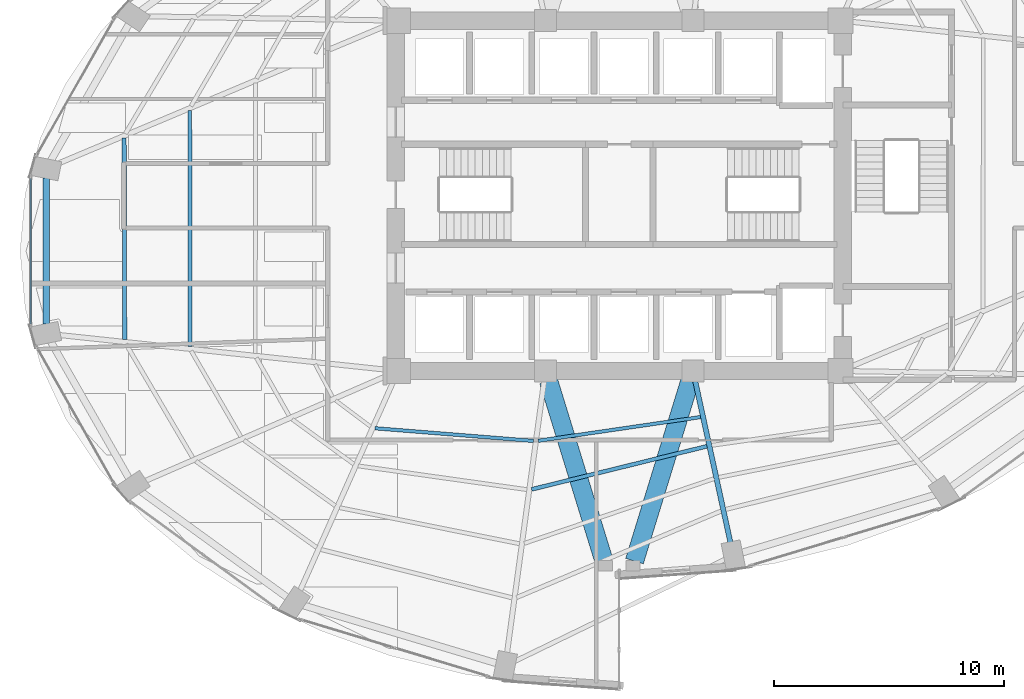
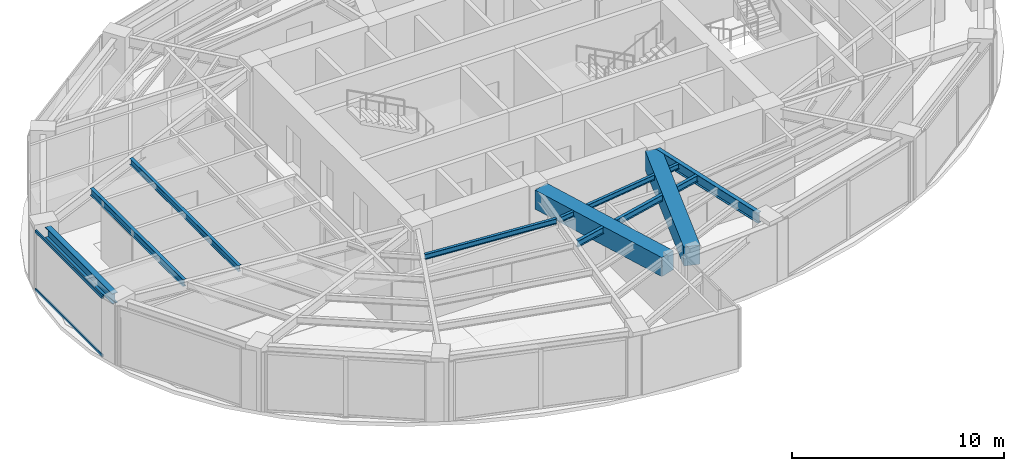
# One storey, part 7 of 24: 9 beams, 2 members, 1 element without a shape of its own.
"""IFC4 building model written with IfcOpenShell, lengths in metres."""

from ifc_helpers import new_model, si_unit, direction, frame, origin, origin_2d, place, context, subcontext, project, spatial, rectangle, hollow_rectangle, i_section, extrude, material, layer, layer_set, material_profile, profile_set, type_object, element, aggregate, save


model = new_model("IFC4")

# Units and contexts
model_context = context("Model", 3, precision=1e-05, world=origin(), true_north=direction((0.0, 1.0)))
body_context = subcontext(model_context, "Body", "Model", "MODEL_VIEW")
ifc_project = project(units=[si_unit("LENGTHUNIT", "METRE"), si_unit("AREAUNIT", "SQUARE_METRE"), si_unit("VOLUMEUNIT", "CUBIC_METRE"), si_unit("PLANEANGLEUNIT", "RADIAN"), si_unit("MASSUNIT", "GRAM", prefix="KILO")], contexts=[model_context])

# Site, building, storey
site_placement = place(None, origin())
site = spatial("IfcSite", under=ifc_project, at=site_placement, CompositionType="ELEMENT")
building_placement = place(site_placement, origin())
building = spatial("IfcBuilding", under=site, at=building_placement, Name="Lazwardi Medical Tower", CompositionType="ELEMENT")
storey_placement = place(building_placement, frame((0.0, 0.0, 99.98388671875)))
storey = spatial("IfcBuildingStorey", under=building, at=storey_placement, Name="L25", CompositionType="ELEMENT", Elevation=99.98388671875)

# Beams
ifc_material_1 = material(Name="Concrete C70/85", Category="concrete")
ifc_material_profile_1 = material_profile(ifc_material_1, rectangle(XDim=0.800048828125, YDim=1.10009765625, at=origin_2d()), Name="RC 800x1100")
ifc_profile_set_1 = profile_set([ifc_material_profile_1], Name="Concrete C70/85")
beam_type_1 = type_object("IfcBeamType", Name="BM-CB-RC1", PredefinedType="LINTEL", material=ifc_profile_set_1)
for number, where, z_axis, x_axis, name in (
    (1, (32.935302734375, 19.960205078125, 2.878173828125), (0.294073251002, -0.955782884888, 0.0), (0.955782884888, 0.294073251002, 0.0), "Core coupling lintel CB-01 PL3 L25"),
    (2, (39.064697265625, 19.960205078125, 2.878173828125), (-0.294073251002, -0.955782884888, 0.0), (0.955782884888, -0.294073251002, 0.0), "Core coupling lintel CB-01 PL4 L25"),
):
    element("IfcBeam", number, at=place(storey_placement, frame(where, z_axis=z_axis, x_axis=x_axis)), inside=storey, type_object=beam_type_1, Name=name, PredefinedType="LINTEL", context=body_context, shape_type="SweptSolid", body=[
        extrude(rectangle(XDim=0.800048828125, YDim=1.10009765625, at=origin_2d()), origin(), (0.0, 0.0, 1.0), 8.1708984375),
    ])
ifc_material_2 = material(Name="Steel S355", Category="steel")
ifc_material_profile_2 = material_profile(ifc_material_2, i_section(OverallWidth=0.300048828125, OverallDepth=0.60009765625, WebThickness=0.015380859375, FlangeThickness=0.030029296875, at=origin_2d()), Name="HEB 600")
ifc_profile_set_2 = profile_set([ifc_material_profile_2], Name="Steel S355")
beam_type_2 = type_object("IfcBeamType", Name="BM-RB-Z2", PredefinedType="BEAM", material=ifc_profile_set_2)
beam_1_placement = place(storey_placement, frame((11.13720703125, 28.77001953125, 3.128173828125), z_axis=(0.0, -1.0, 0.0), x_axis=(1.0, 0.0, 0.0)))
element("IfcBeam", 3, at=beam_1_placement, inside=storey, type_object=beam_type_2, Name="Ring beam RB-03 B12 L25", PredefinedType="BEAM", context=body_context, shape_type="SweptSolid", body=[
    extrude(i_section(OverallWidth=0.300048828125, OverallDepth=0.60009765625, WebThickness=0.015380859375, FlangeThickness=0.030029296875, at=origin_2d()), origin(), (0.0, 0.0, 1.0), 6.33984375),
])
ifc_material_profile_3 = material_profile(ifc_material_2, i_section(OverallWidth=0.219970703125, OverallDepth=0.60009765625, WebThickness=0.011962890625, FlangeThickness=0.01904296875, at=origin_2d()), Name="IPE 600")
ifc_profile_set_3 = profile_set([ifc_material_profile_3], Name="Steel S355")
beam_type_3 = type_object("IfcBeamType", Name="BM-RG-W1", PredefinedType="BEAM", material=ifc_profile_set_3)
beam_2_placement = place(storey_placement, frame((40.82177734375, 12.96923828125, 3.128173828125), z_axis=(-0.213228150441, 0.977002433907, 0.0), x_axis=(-0.977002433907, -0.213228150441, 0.0)))
element("IfcBeam", 4, at=beam_2_placement, inside=storey, type_object=beam_type_3, Name="Radial girder RG-02 R01 L25", PredefinedType="BEAM", context=body_context, shape_type="SweptSolid", body=[
    extrude(i_section(OverallWidth=0.219970703125, OverallDepth=0.60009765625, WebThickness=0.011962890625, FlangeThickness=0.01904296875, at=origin_2d()), origin(), (0.0, 0.0, 1.0), 7.145751953125),
])
ifc_material_profile_4 = material_profile(ifc_material_2, i_section(OverallWidth=0.179931640625, OverallDepth=0.39990234375, WebThickness=0.008544921875, FlangeThickness=0.013427734375, at=origin_2d()), Name="IPE 400")
ifc_profile_set_4 = profile_set([ifc_material_profile_4], Name="Steel S355")
beam_type_4 = type_object("IfcBeamType", Name="BM-SJ-01", PredefinedType="JOIST", material=ifc_profile_set_4)
beam_3_placement = place(storey_placement, frame((14.51904296875, 30.497314453125, 3.22802734375), z_axis=(0.002907126978, -0.999995774297, 0.0), x_axis=(0.999995774297, 0.002907126978, 0.0)))
element("IfcBeam", 5, at=beam_3_placement, inside=storey, type_object=beam_type_4, Name="Secondary joist SJ-01 R1 B12 L25", PredefinedType="JOIST", context=body_context, shape_type="SweptSolid", body=[
    extrude(i_section(OverallWidth=0.179931640625, OverallDepth=0.39990234375, WebThickness=0.008544921875, FlangeThickness=0.013427734375, at=origin_2d()), origin(), (0.0, 0.0, 1.0), 8.73388671875),
])
ifc_material_profile_5 = material_profile(ifc_material_2, i_section(OverallWidth=0.169921875, OverallDepth=0.360107421875, WebThickness=0.008056640625, FlangeThickness=0.0126953125, at=origin_2d()), Name="IPE 360")
ifc_profile_set_5 = profile_set([ifc_material_profile_5], Name="Steel S355")
beam_type_5 = type_object("IfcBeamType", Name="BM-SJ-02", PredefinedType="JOIST", material=ifc_profile_set_5)
beam_4_placement = place(storey_placement, frame((17.365966796875, 31.69482421875, 3.248046875), z_axis=(0.000930565095, -0.999999567024, 0.0), x_axis=(0.999999567024, 0.000930565095, 0.0)))
element("IfcBeam", 6, at=beam_4_placement, inside=storey, type_object=beam_type_5, Name="Secondary joist SJ-02 R2 B12 L25", PredefinedType="JOIST", context=body_context, shape_type="SweptSolid", body=[
    extrude(i_section(OverallWidth=0.169921875, OverallDepth=0.360107421875, WebThickness=0.008056640625, FlangeThickness=0.0126953125, at=origin_2d()), origin(), (0.0, 0.0, 1.0), 10.23193359375),
])
beam_5_placement = place(storey_placement, frame((32.19775390625, 15.262451171875, 3.248046875), z_axis=(0.97107737879, 0.238764998276, 0.0), x_axis=(-0.238764998276, 0.97107737879, 0.0)))
element("IfcBeam", 7, at=beam_5_placement, inside=storey, type_object=beam_type_5, Name="Secondary joist SJ-02 R3 B16 L25", PredefinedType="JOIST", context=body_context, shape_type="SweptSolid", body=[
    extrude(i_section(OverallWidth=0.169921875, OverallDepth=0.360107421875, WebThickness=0.008056640625, FlangeThickness=0.0126953125, at=origin_2d()), origin(), (0.0, 0.0, 1.0), 7.83447265625),
])
ifc_material_profile_6 = material_profile(ifc_material_2, i_section(OverallWidth=0.14990234375, OverallDepth=0.300048828125, WebThickness=0.007080078125, FlangeThickness=0.0107421875, at=origin_2d()), Name="IPE 300")
ifc_profile_set_6 = profile_set([ifc_material_profile_6], Name="Steel S355")
beam_type_6 = type_object("IfcBeamType", Name="BM-SJ-03", PredefinedType="JOIST", material=ifc_profile_set_6)
beam_6_placement = place(storey_placement, frame((25.400390625, 17.914306640625, 3.278076171875), z_axis=(0.996816178299, -0.079733974445, 0.0), x_axis=(0.079733974445, 0.996816178299, 0.0)))
element("IfcBeam", 8, at=beam_6_placement, inside=storey, type_object=beam_type_6, Name="Secondary joist SJ-03 R4 B15 L25", PredefinedType="JOIST", context=body_context, shape_type="SweptSolid", body=[
    extrude(i_section(OverallWidth=0.14990234375, OverallDepth=0.300048828125, WebThickness=0.007080078125, FlangeThickness=0.0107421875, at=origin_2d()), origin(), (0.0, 0.0, 1.0), 6.901611328125),
])
beam_7_placement = place(storey_placement, frame((32.488525390625, 17.37060546875, 3.278076171875), z_axis=(0.98949221477, 0.144586157392, 0.0), x_axis=(-0.144586157392, 0.98949221477, 0.0)))
element("IfcBeam", 9, at=beam_7_placement, inside=storey, type_object=beam_type_6, Name="Secondary joist SJ-03 R4 B16 L25", PredefinedType="JOIST", context=body_context, shape_type="SweptSolid", body=[
    extrude(i_section(OverallWidth=0.14990234375, OverallDepth=0.300048828125, WebThickness=0.007080078125, FlangeThickness=0.0107421875, at=origin_2d()), origin(), (0.0, 0.0, 1.0), 7.115478515625),
])

# Curtain wall, members
ifc_material_3 = material(Name="Anodised bronze aluminium and solar control glazing", Category="aluminium")
ifc_layer = layer(ifc_material_3, 0.195068359375)
ifc_layer_set = layer_set([ifc_layer], Name="Anodised bronze aluminium and solar control glazing")
curtain_wall_type = type_object("IfcCurtainWallType", Name="CW-SYS-03", PredefinedType="NOTDEFINED", material=ifc_layer_set)
curtain_wall_placement = place(storey_placement, origin())
curtain_wall = element("IfcCurtainWall", 10, at=curtain_wall_placement, inside=storey, type_object=curtain_wall_type, Name="L25 Unitised bronze curtain wall CW-03", PredefinedType="NOTDEFINED")
ifc_material_4 = material(Name="Anodised bronze aluminium", Category="aluminium")
ifc_material_profile_7 = material_profile(ifc_material_4, hollow_rectangle(XDim=0.074951171875, YDim=0.159912109375, WallThickness=0.00390625, at=origin_2d()), Name="ALU-TRANSOM 160x75x4")
ifc_profile_set_7 = profile_set([ifc_material_profile_7], Name="Anodised bronze aluminium")
member_type = type_object("IfcMemberType", Name="CW-TRN-01", PredefinedType="USERDEFINED", material=ifc_profile_set_7)
member_1_placement = place(storey_placement, frame((10.471923828125, 28.760009765625, 0.03759765625), z_axis=(0.0, -1.0, 0.0), x_axis=(1.0, 0.0, 0.0)))
member_1 = element("IfcMember", 11, at=member_1_placement, type_object=member_type, Name="CW-03 transom 1.1", ObjectType="TRANSOM", PredefinedType="USERDEFINED", context=body_context, shape_type="SweptSolid", body=[
    extrude(hollow_rectangle(XDim=0.074951171875, YDim=0.159912109375, WallThickness=0.00390625, at=origin_2d()), origin(), (0.0, 0.0, 1.0), 6.31982421875),
])
member_2_placement = place(storey_placement, frame((10.471923828125, 28.760009765625, 3.390625), z_axis=(0.0, -1.0, 0.0), x_axis=(1.0, 0.0, 0.0)))
member_2 = element("IfcMember", 12, at=member_2_placement, type_object=member_type, Name="CW-03 transom 1.2", ObjectType="TRANSOM", PredefinedType="USERDEFINED", context=body_context, shape_type="SweptSolid", body=[
    extrude(hollow_rectangle(XDim=0.074951171875, YDim=0.159912109375, WallThickness=0.00390625, at=origin_2d()), origin(), (0.0, 0.0, 1.0), 6.31982421875),
])
aggregate(curtain_wall, [member_1, member_2])

save(model, "model.ifc")
